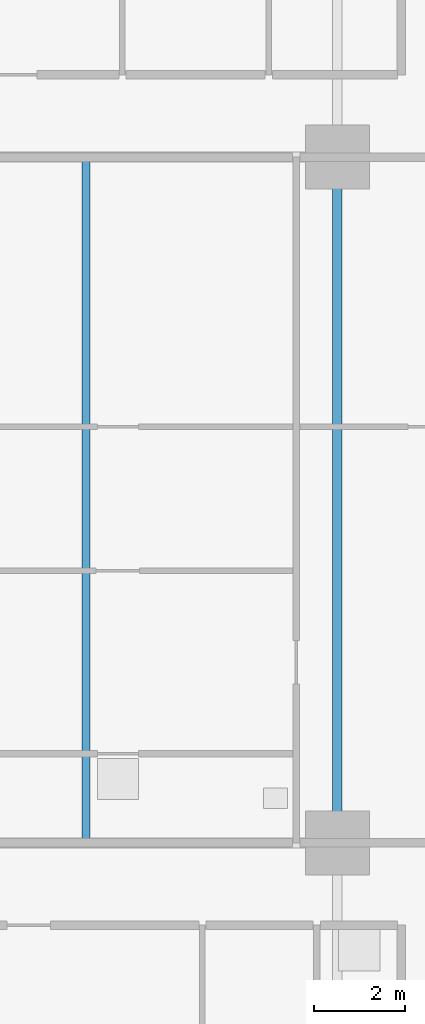
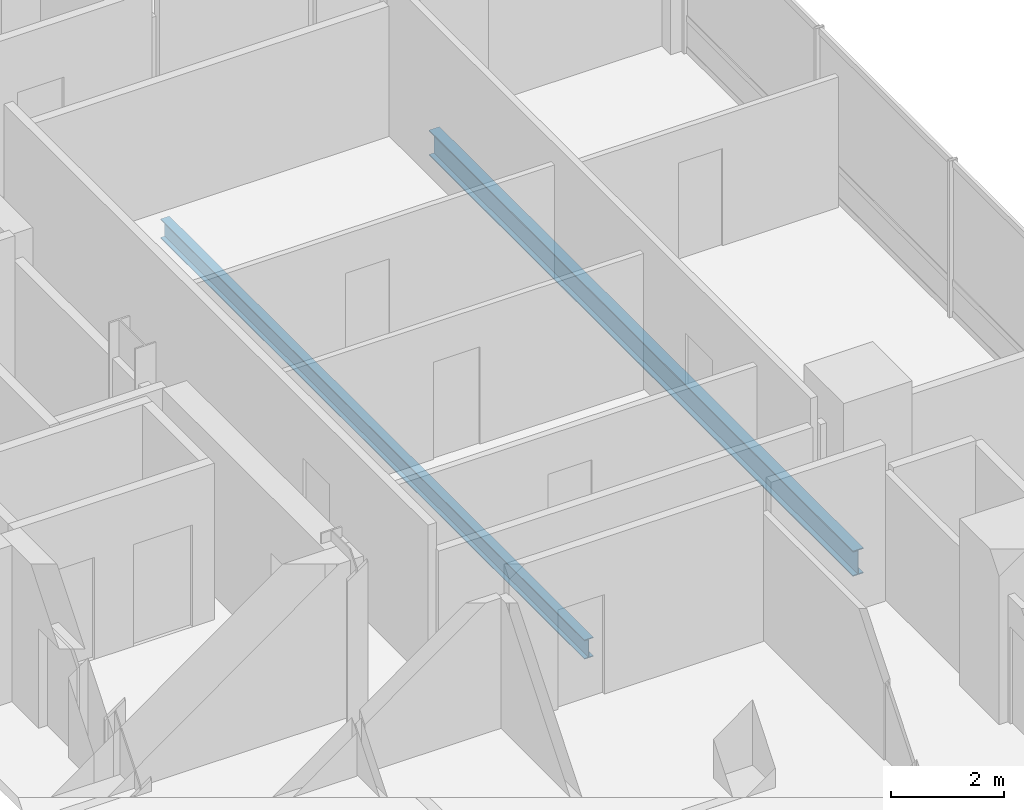
# One storey, part 9 of 24: 2 beams.
"""IFC4 building model written with IfcOpenShell, lengths in metres."""

from ifc_helpers import new_model, si_unit, direction, frame, origin, origin_2d, place, context, subcontext, project, spatial, i_section, extrude, material, material_profile, profile_set, type_object, element, save


model = new_model("IFC4")

# Units and contexts
model_context = context("Model", 3, precision=1e-05, world=origin(), true_north=direction((0.0, 1.0)))
body_context = subcontext(model_context, "Body", "Model", "MODEL_VIEW")
ifc_project = project(units=[si_unit("LENGTHUNIT", "METRE"), si_unit("AREAUNIT", "SQUARE_METRE"), si_unit("VOLUMEUNIT", "CUBIC_METRE"), si_unit("PLANEANGLEUNIT", "RADIAN"), si_unit("MASSUNIT", "GRAM", prefix="KILO")], contexts=[model_context])

# Site, building, storey
site_placement = place(None, origin())
site = spatial("IfcSite", under=ifc_project, at=site_placement, CompositionType="ELEMENT")
building_placement = place(site_placement, origin())
building = spatial("IfcBuilding", under=site, at=building_placement, Name="Barlavira Tower and Art Museum", CompositionType="ELEMENT")
storey_placement = place(building_placement, frame((0.0, 0.0, 43.199951171875)))
storey = spatial("IfcBuildingStorey", under=building, at=storey_placement, Name="L09", CompositionType="ELEMENT", Elevation=43.199951171875)

# Beams
ifc_material = material(Name="Steel S355", Category="steel")
ifc_material_profile_1 = material_profile(ifc_material, i_section(OverallWidth=0.180908203125, OverallDepth=0.4169921875, WebThickness=0.010986328125, FlangeThickness=0.018310546875, at=origin_2d()), Name="W410x85.0")
ifc_profile_set_1 = profile_set([ifc_material_profile_1], Name="Steel S355")
beam_type_1 = type_object("IfcBeamType", Name="Zone 1 Composite Floor Joist W410x85 Steel S355", PredefinedType="JOIST", material=ifc_profile_set_1)
beam_1_placement = place(storey_placement, frame((11.5, -7.5, -0.428466796875), z_axis=(0.0, 1.0, 0.0), x_axis=(-1.0, 0.0, 0.0)))
element("IfcBeam", 1, at=beam_1_placement, inside=storey, type_object=beam_type_1, Name="L09 Joist W2", PredefinedType="JOIST", context=body_context, shape_type="SweptSolid", body=[
    extrude(i_section(OverallWidth=0.180908203125, OverallDepth=0.4169921875, WebThickness=0.010986328125, FlangeThickness=0.018310546875, at=origin_2d()), origin(), (0.0, 0.0, 1.0), 15.0),
])
ifc_material_profile_2 = material_profile(ifc_material, i_section(OverallWidth=0.214111328125, OverallDepth=0.549072265625, WebThickness=0.0146484375, FlangeThickness=0.023681640625, at=origin_2d()), Name="W530x138.0")
ifc_profile_set_2 = profile_set([ifc_material_profile_2], Name="Steel S355")
beam_type_2 = type_object("IfcBeamType", Name="Zone 1 Primary Floor Girder W530x138 Steel S355", PredefinedType="BEAM", material=ifc_profile_set_2)
beam_2_placement = place(storey_placement, frame((17.0, -7.5, -0.494384765625), z_axis=(0.0, 1.0, 0.0), x_axis=(-1.0, 0.0, 0.0)))
element("IfcBeam", 2, at=beam_2_placement, inside=storey, type_object=beam_type_2, Name="L09 Girder M-E2", PredefinedType="BEAM", context=body_context, shape_type="SweptSolid", body=[
    extrude(i_section(OverallWidth=0.214111328125, OverallDepth=0.549072265625, WebThickness=0.0146484375, FlangeThickness=0.023681640625, at=origin_2d()), origin(), (0.0, 0.0, 1.0), 15.0),
])

save(model, "model.ifc")
